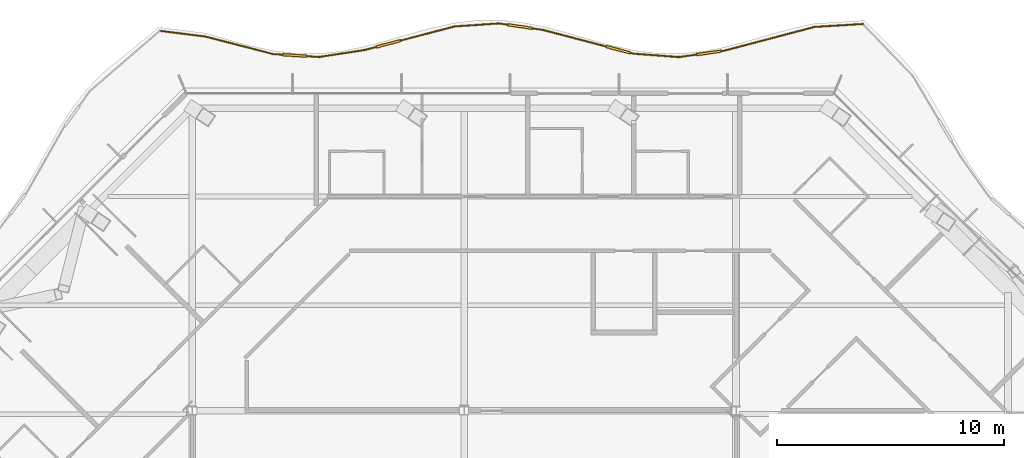
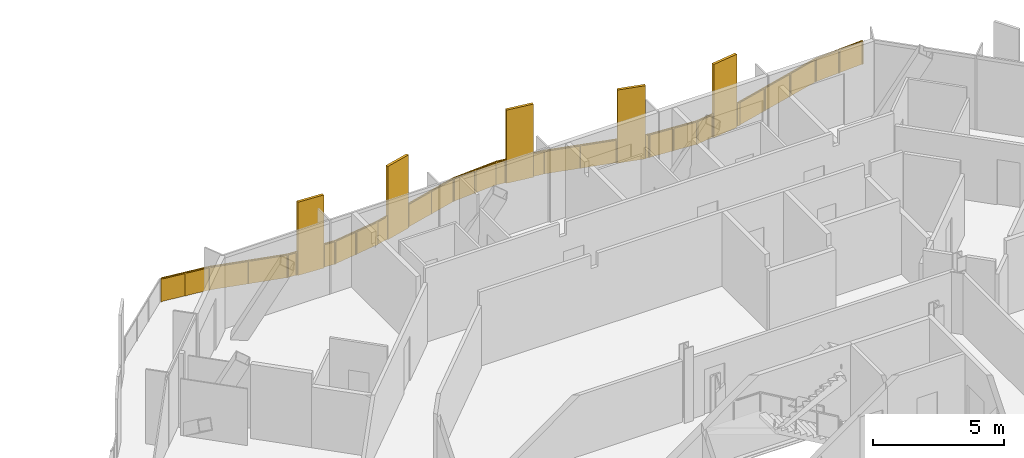
# One storey, part 20 of 21: 1 railing.
"""IFC4 building model written with IfcOpenShell, lengths in metres."""

from ifc_helpers import new_model, si_unit, direction, frame, origin, origin_2d, place, context, subcontext, project, spatial, polyline, rectangle, outline, extrude, material, type_object, element, save


model = new_model("IFC4")

# Units and contexts
model_context = context("Model", 3, precision=1e-05, world=origin(), true_north=direction((0.0, 1.0)))
body_context = subcontext(model_context, "Body", "Model", "MODEL_VIEW")
ifc_project = project(units=[si_unit("LENGTHUNIT", "METRE"), si_unit("AREAUNIT", "SQUARE_METRE"), si_unit("VOLUMEUNIT", "CUBIC_METRE"), si_unit("PLANEANGLEUNIT", "RADIAN"), si_unit("MASSUNIT", "GRAM", prefix="KILO")], contexts=[model_context])

# Site, building, storey
site_placement = place(None, origin())
site = spatial("IfcSite", under=ifc_project, at=site_placement, CompositionType="ELEMENT")
building_placement = place(site_placement, origin())
building = spatial("IfcBuilding", under=site, at=building_placement, Name="Cairn Pilgrim Tower", CompositionType="ELEMENT")
storey_placement = place(building_placement, frame((0.0, 0.0, 183.0)))
storey = spatial("IfcBuildingStorey", under=building, at=storey_placement, Name="L46", CompositionType="ELEMENT", Elevation=183.0)

# Railing
ifc_material = material(Name="Bronze anodised aluminium rail, posts and fin screens with laminated glass infill", Category="aluminium")
railing_type = type_object("IfcRailingType", Name="BALCONY GUARD WITH FIN SCREENS", PredefinedType="GUARDRAIL", material=ifc_material)
railing_placement = place(storey_placement, frame((24.794921875, 30.265625, 0.0)))
element("IfcRailing", 1, at=railing_placement, inside=storey, type_object=railing_type, Name="Balcony guard BGF-5 with fin screens", PredefinedType="GUARDRAIL", context=body_context, shape_type="SweptSolid", body=[
    extrude(rectangle(XDim=0.050048828125, YDim=0.050048828125, at=origin_2d()), frame((0.0, 0.0, 1.0751953125), z_axis=(-0.998168705079, -0.060491620908, 0.0), x_axis=(0.060491620908, -0.998168705079, 0.0)), (0.0, 0.0, 1.0), 2.14306640625),
    extrude(rectangle(XDim=0.050048828125, YDim=0.050048828125, at=origin_2d()), frame((-2.13916015625, -0.129638671875, 1.0751953125), z_axis=(-0.966920951594, -0.255076210902, 0.0), x_axis=(0.255076210902, -0.966920951594, 0.0)), (0.0, 0.0, 1.0), 4.102294921875),
    extrude(rectangle(XDim=1.10009765625, YDim=0.110107421875, at=origin_2d()), frame((-6.798583984375, -1.27392578125, 0.0), z_axis=(0.0, 0.0, 1.0), x_axis=(-0.990145671427, -0.140041241619, 0.0)), (0.0, 0.0, 1.0), 3.39990234375),
    extrude(rectangle(XDim=0.050048828125, YDim=0.050048828125, at=origin_2d()), frame((-6.105712890625, -1.176025390625, 1.0751953125), z_axis=(-0.990145671427, -0.140041241619, 0.0), x_axis=(0.140041241619, -0.990145671427, 0.0)), (0.0, 0.0, 1.0), 0.14990234375),
    extrude(rectangle(XDim=0.050048828125, YDim=0.050048828125, at=origin_2d()), frame((-7.34326171875, -1.35107421875, 1.0751953125), z_axis=(-0.990145671427, -0.140041241619, 0.0), x_axis=(0.140041241619, -0.990145671427, 0.0)), (0.0, 0.0, 1.0), 0.78125),
    extrude(rectangle(XDim=0.050048828125, YDim=0.050048828125, at=origin_2d()), frame((-8.11669921875, -1.46044921875, 1.0751953125), z_axis=(-0.997193452964, 0.074867999617, 0.0), x_axis=(-0.074867999617, -0.997193452964, 0.0)), (0.0, 0.0, 1.0), 2.021728515625),
    extrude(rectangle(XDim=1.10009765625, YDim=0.110107421875, at=origin_2d()), frame((-10.8095703125, -1.131103515625, 0.0), z_axis=(0.0, 0.0, 1.0), x_axis=(-0.967094526018, 0.254417329887, 0.0)), (0.0, 0.0, 1.0), 3.39990234375),
    extrude(rectangle(XDim=0.050048828125, YDim=0.050048828125, at=origin_2d()), frame((-10.1328125, -1.30908203125, 1.0751953125), z_axis=(-0.967094526018, 0.254417329887, 0.0), x_axis=(-0.254417329887, -0.967094526018, 0.0)), (0.0, 0.0, 1.0), 0.14990234375),
    extrude(rectangle(XDim=0.050048828125, YDim=0.050048828125, at=origin_2d()), frame((-11.341552734375, -0.9912109375, 1.0751953125), z_axis=(-0.967094526018, 0.254417329887, 0.0), x_axis=(-0.254417329887, -0.967094526018, 0.0)), (0.0, 0.0, 1.0), 2.863037109375),
    extrude(rectangle(XDim=1.10009765625, YDim=0.110107421875, at=origin_2d()), frame((-15.13623046875, -0.112060546875, 0.0), z_axis=(0.0, 0.0, 1.0), x_axis=(-0.989372683386, 0.145401834131, 0.0)), (0.0, 0.0, 1.0), 3.39990234375),
    extrude(rectangle(XDim=0.050048828125, YDim=0.050048828125, at=origin_2d()), frame((-14.1103515625, -0.2626953125, 1.0751953125), z_axis=(-0.989372683386, 0.145401834131, 0.0), x_axis=(-0.145401834131, -0.989372683386, 0.0)), (0.0, 0.0, 1.0), 0.48681640625),
    extrude(rectangle(XDim=0.050048828125, YDim=0.050048828125, at=origin_2d()), frame((-15.68017578125, -0.031982421875, 1.0751953125), z_axis=(-0.989372683386, 0.145401834131, 0.0), x_axis=(-0.145401834131, -0.989372683386, 0.0)), (0.0, 0.0, 1.0), 0.396240234375),
    extrude(rectangle(XDim=0.050048828125, YDim=0.050048828125, at=origin_2d()), frame((-16.072265625, 0.025634765625, 1.0751953125), z_axis=(-0.997617934409, -0.068981569603, 0.0), x_axis=(0.068981569603, -0.997617934409, 0.0)), (0.0, 0.0, 1.0), 1.960693359375),
    extrude(rectangle(XDim=1.10009765625, YDim=0.110107421875, at=origin_2d()), frame((-20.944580078125, -0.87451171875, 0.0), z_axis=(0.0, 0.0, 1.0), x_axis=(-0.967283217341, -0.253698989849, 0.0)), (0.0, 0.0, 1.0), 3.39990234375),
    extrude(rectangle(XDim=0.050048828125, YDim=0.050048828125, at=origin_2d()), frame((-18.0283203125, -0.109619140625, 1.0751953125), z_axis=(-0.967283217341, -0.253698989849, 0.0), x_axis=(0.253698989849, -0.967283217341, 0.0)), (0.0, 0.0, 1.0), 2.46484375),
    extrude(rectangle(XDim=0.050048828125, YDim=0.050048828125, at=origin_2d()), frame((-21.4765625, -1.013916015625, 1.0751953125), z_axis=(-0.967283217341, -0.253698989849, 0.0), x_axis=(0.253698989849, -0.967283217341, 0.0)), (0.0, 0.0, 1.0), 0.53564453125),
    extrude(rectangle(XDim=0.050048828125, YDim=0.050048828125, at=origin_2d()), frame((-21.99462890625, -1.14990234375, 1.0751953125), z_axis=(-0.988616119439, -0.15045985639, 0.0), x_axis=(0.15045985639, -0.988616119439, 0.0)), (0.0, 0.0, 1.0), 2.033203125),
    extrude(rectangle(XDim=1.10009765625, YDim=0.110107421875, at=origin_2d()), frame((-25.064208984375, -1.388916015625, 0.0), z_axis=(0.0, 0.0, 1.0), x_axis=(-0.998016684323, 0.062949962776, 0.0)), (0.0, 0.0, 1.0), 3.39990234375),
    extrude(rectangle(XDim=0.050048828125, YDim=0.050048828125, at=origin_2d()), frame((-24.004638671875, -1.455810546875, 1.0751953125), z_axis=(-0.998016684323, 0.062949962776, 0.0), x_axis=(-0.062949962776, -0.998016684323, 0.0)), (0.0, 0.0, 1.0), 0.511474609375),
    extrude(rectangle(XDim=0.050048828125, YDim=0.050048828125, at=origin_2d()), frame((-25.613037109375, -1.354248046875, 1.0751953125), z_axis=(-0.998016684323, 0.062949962776, 0.0), x_axis=(-0.062949962776, -0.998016684323, 0.0)), (0.0, 0.0, 1.0), 0.408935546875),
    extrude(rectangle(XDim=0.050048828125, YDim=0.050048828125, at=origin_2d()), frame((-26.021240234375, -1.32861328125, 1.0751953125), z_axis=(-0.968105847949, 0.250541547788, 0.0), x_axis=(-0.250541547788, -0.968105847949, 0.0)), (0.0, 0.0, 1.0), 3.082275390625),
    extrude(rectangle(XDim=0.050048828125, YDim=0.050048828125, at=origin_2d()), frame((-29.005126953125, -0.556396484375, 1.0751953125), z_axis=(-0.992021746768, 0.126066862974, 0.0), x_axis=(-0.126066862974, -0.992021746768, 0.0)), (0.0, 0.0, 1.0), 1.981201171875),
    extrude(rectangle(XDim=0.050048828125, YDim=0.050048828125, at=origin_2d()), origin(), (0.0, 0.0, 1.0), 1.050048828125),
    extrude(rectangle(XDim=0.050048828125, YDim=0.050048828125, at=origin_2d()), frame((-1.069580078125, -0.06494140625, 0.0)), (0.0, 0.0, 1.0), 1.050048828125),
    extrude(rectangle(XDim=0.050048828125, YDim=0.050048828125, at=origin_2d()), frame((-2.13916015625, -0.129638671875, 0.0)), (0.0, 0.0, 1.0), 1.050048828125),
    extrude(rectangle(XDim=0.050048828125, YDim=0.050048828125, at=origin_2d()), frame((-3.46142578125, -0.478515625, 0.0)), (0.0, 0.0, 1.0), 1.050048828125),
    extrude(rectangle(XDim=0.050048828125, YDim=0.050048828125, at=origin_2d()), frame((-4.783447265625, -0.8271484375, 0.0)), (0.0, 0.0, 1.0), 1.050048828125),
    extrude(rectangle(XDim=0.050048828125, YDim=0.050048828125, at=origin_2d()), frame((-6.105712890625, -1.176025390625, 0.0)), (0.0, 0.0, 1.0), 1.050048828125),
    extrude(rectangle(XDim=0.050048828125, YDim=0.050048828125, at=origin_2d()), frame((-6.229248046875, -1.193603515625, 0.0)), (0.0, 0.0, 1.0), 1.050048828125),
    extrude(rectangle(XDim=0.050048828125, YDim=0.050048828125, at=origin_2d()), frame((-7.367919921875, -1.3544921875, 0.0)), (0.0, 0.0, 1.0), 1.050048828125),
    extrude(rectangle(XDim=0.050048828125, YDim=0.050048828125, at=origin_2d()), frame((-8.11669921875, -1.46044921875, 0.0)), (0.0, 0.0, 1.0), 1.050048828125),
    extrude(rectangle(XDim=0.050048828125, YDim=0.050048828125, at=origin_2d()), frame((-9.124755859375, -1.384765625, 0.0)), (0.0, 0.0, 1.0), 1.050048828125),
    extrude(rectangle(XDim=0.050048828125, YDim=0.050048828125, at=origin_2d()), frame((-10.1328125, -1.30908203125, 0.0)), (0.0, 0.0, 1.0), 1.050048828125),
    extrude(rectangle(XDim=0.050048828125, YDim=0.050048828125, at=origin_2d()), frame((-10.253662109375, -1.27734375, 0.0)), (0.0, 0.0, 1.0), 1.050048828125),
    extrude(rectangle(XDim=0.050048828125, YDim=0.050048828125, at=origin_2d()), frame((-11.36572265625, -0.984619140625, 0.0)), (0.0, 0.0, 1.0), 1.050048828125),
    extrude(rectangle(XDim=0.050048828125, YDim=0.050048828125, at=origin_2d()), frame((-12.738037109375, -0.623779296875, 0.0)), (0.0, 0.0, 1.0), 1.050048828125),
    extrude(rectangle(XDim=0.050048828125, YDim=0.050048828125, at=origin_2d()), frame((-14.1103515625, -0.2626953125, 0.0)), (0.0, 0.0, 1.0), 1.050048828125),
    extrude(rectangle(XDim=0.050048828125, YDim=0.050048828125, at=origin_2d()), frame((-14.567138671875, -0.195556640625, 0.0)), (0.0, 0.0, 1.0), 1.050048828125),
    extrude(rectangle(XDim=0.050048828125, YDim=0.050048828125, at=origin_2d()), frame((-15.705078125, -0.0283203125, 0.0)), (0.0, 0.0, 1.0), 1.050048828125),
    extrude(rectangle(XDim=0.050048828125, YDim=0.050048828125, at=origin_2d()), frame((-16.072265625, 0.025634765625, 0.0)), (0.0, 0.0, 1.0), 1.050048828125),
    extrude(rectangle(XDim=0.050048828125, YDim=0.050048828125, at=origin_2d()), frame((-17.05029296875, -0.0419921875, 0.0)), (0.0, 0.0, 1.0), 1.050048828125),
    extrude(rectangle(XDim=0.050048828125, YDim=0.050048828125, at=origin_2d()), frame((-18.0283203125, -0.109619140625, 0.0)), (0.0, 0.0, 1.0), 1.050048828125),
    extrude(rectangle(XDim=0.050048828125, YDim=0.050048828125, at=origin_2d()), frame((-19.208251953125, -0.419189453125, 0.0)), (0.0, 0.0, 1.0), 1.050048828125),
    extrude(rectangle(XDim=0.050048828125, YDim=0.050048828125, at=origin_2d()), frame((-20.38818359375, -0.728515625, 0.0)), (0.0, 0.0, 1.0), 1.050048828125),
    extrude(rectangle(XDim=0.050048828125, YDim=0.050048828125, at=origin_2d()), frame((-21.500732421875, -1.020263671875, 0.0)), (0.0, 0.0, 1.0), 1.050048828125),
    extrude(rectangle(XDim=0.050048828125, YDim=0.050048828125, at=origin_2d()), frame((-21.99462890625, -1.14990234375, 0.0)), (0.0, 0.0, 1.0), 1.050048828125),
    extrude(rectangle(XDim=0.050048828125, YDim=0.050048828125, at=origin_2d()), frame((-22.99951171875, -1.302734375, 0.0)), (0.0, 0.0, 1.0), 1.050048828125),
    extrude(rectangle(XDim=0.050048828125, YDim=0.050048828125, at=origin_2d()), frame((-24.004638671875, -1.455810546875, 0.0)), (0.0, 0.0, 1.0), 1.050048828125),
    extrude(rectangle(XDim=0.050048828125, YDim=0.050048828125, at=origin_2d()), frame((-24.490234375, -1.42529296875, 0.0)), (0.0, 0.0, 1.0), 1.050048828125),
    extrude(rectangle(XDim=0.050048828125, YDim=0.050048828125, at=origin_2d()), frame((-25.637939453125, -1.352783203125, 0.0)), (0.0, 0.0, 1.0), 1.050048828125),
    extrude(rectangle(XDim=0.050048828125, YDim=0.050048828125, at=origin_2d()), frame((-26.021240234375, -1.32861328125, 0.0)), (0.0, 0.0, 1.0), 1.050048828125),
    extrude(rectangle(XDim=0.050048828125, YDim=0.050048828125, at=origin_2d()), frame((-27.51318359375, -0.9423828125, 0.0)), (0.0, 0.0, 1.0), 1.050048828125),
    extrude(rectangle(XDim=0.050048828125, YDim=0.050048828125, at=origin_2d()), frame((-29.005126953125, -0.556396484375, 0.0)), (0.0, 0.0, 1.0), 1.050048828125),
    extrude(rectangle(XDim=0.050048828125, YDim=0.050048828125, at=origin_2d()), frame((-29.98779296875, -0.431640625, 0.0)), (0.0, 0.0, 1.0), 1.050048828125),
    extrude(rectangle(XDim=0.050048828125, YDim=0.050048828125, at=origin_2d()), frame((-30.970458984375, -0.306640625, 0.0)), (0.0, 0.0, 1.0), 1.050048828125),
    extrude(outline(polyline([(0.02490234375, 0.0), (1.046630859375, 0.0), (1.046630859375, 1.050048828125), (0.02490234375, 1.050048828125), (0.02490234375, 0.0)])), frame((0.000244140625, -0.005859375, 0.0), z_axis=(-0.060491620908, 0.998168705079, 0.0), x_axis=(-0.998168705079, -0.060491620908, 0.0)), (0.0, 0.0, 1.0), 0.011962890625),
    extrude(outline(polyline([(0.02490234375, 0.0), (1.046630859375, 0.0), (1.046630859375, 1.050048828125), (0.02490234375, 1.050048828125), (0.02490234375, 0.0)])), frame((-1.0693359375, -0.07080078125, 0.0), z_axis=(-0.060491620908, 0.998168705079, 0.0), x_axis=(-0.998168705079, -0.060491620908, 0.0)), (0.0, 0.0, 1.0), 0.011962890625),
    extrude(outline(polyline([(0.02490234375, 0.0), (1.34228515625, 0.0), (1.34228515625, 1.050048828125), (0.02490234375, 1.050048828125), (0.02490234375, 0.0)])), frame((-2.1376953125, -0.135498046875, 0.0), z_axis=(-0.255076210902, 0.966920951594, 0.0), x_axis=(-0.966920951594, -0.255076210902, 0.0)), (0.0, 0.0, 1.0), 0.011962890625),
    extrude(outline(polyline([(0.02490234375, 0.0), (1.34228515625, 0.0), (1.34228515625, 1.050048828125), (0.02490234375, 1.050048828125), (0.02490234375, 0.0)])), frame((-3.459716796875, -0.484130859375, 0.0), z_axis=(-0.255076210902, 0.966920951594, 0.0), x_axis=(-0.966920951594, -0.255076210902, 0.0)), (0.0, 0.0, 1.0), 0.011962890625),
    extrude(outline(polyline([(0.02490234375, 0.0), (1.34228515625, 0.0), (1.34228515625, 1.050048828125), (0.02490234375, 1.050048828125), (0.02490234375, 0.0)])), frame((-4.781982421875, -0.8330078125, 0.0), z_axis=(-0.255076210902, 0.966920951594, 0.0), x_axis=(-0.966920951594, -0.255076210902, 0.0)), (0.0, 0.0, 1.0), 0.011962890625),
    extrude(outline(polyline([(0.02490234375, 0.0), (0.099853515625, 0.0), (0.099853515625, 1.050048828125), (0.02490234375, 1.050048828125), (0.02490234375, 0.0)])), frame((-6.10498046875, -1.181884765625, 0.0), z_axis=(-0.140041241619, 0.990145671427, 0.0), x_axis=(-0.990145671427, -0.140041241619, 0.0)), (0.0, 0.0, 1.0), 0.011962890625),
    extrude(outline(polyline([(0.02490234375, 0.0), (0.731201171875, 0.0), (0.731201171875, 1.050048828125), (0.02490234375, 1.050048828125), (0.02490234375, 0.0)])), frame((-7.3671875, -1.360595703125, 0.0), z_axis=(-0.140041241619, 0.990145671427, 0.0), x_axis=(-0.990145671427, -0.140041241619, 0.0)), (0.0, 0.0, 1.0), 0.011962890625),
    extrude(outline(polyline([(0.02490234375, 0.0), (0.98583984375, 0.0), (0.98583984375, 1.050048828125), (0.02490234375, 1.050048828125), (0.02490234375, 0.0)])), frame((-8.1171875, -1.46630859375, 0.0), z_axis=(0.074867999617, 0.997193452964, 0.0), x_axis=(-0.997193452964, 0.074867999617, 0.0)), (0.0, 0.0, 1.0), 0.011962890625),
    extrude(outline(polyline([(0.02490234375, 0.0), (0.98583984375, 0.0), (0.98583984375, 1.050048828125), (0.02490234375, 1.050048828125), (0.02490234375, 0.0)])), frame((-9.125244140625, -1.390625, 0.0), z_axis=(0.074867999617, 0.997193452964, 0.0), x_axis=(-0.997193452964, 0.074867999617, 0.0)), (0.0, 0.0, 1.0), 0.011962890625),
    extrude(outline(polyline([(0.02490234375, 0.0), (0.099853515625, 0.0), (0.099853515625, 1.050048828125), (0.02490234375, 1.050048828125), (0.02490234375, 0.0)])), frame((-10.13427734375, -1.31494140625, 0.0), z_axis=(0.254417329887, 0.967094526018, 0.0), x_axis=(-0.967094526018, 0.254417329887, 0.0)), (0.0, 0.0, 1.0), 0.011962890625),
    extrude(outline(polyline([(0.02490234375, 0.0), (1.39404296875, 0.0), (1.39404296875, 1.050048828125), (0.02490234375, 1.050048828125), (0.02490234375, 0.0)])), frame((-11.3671875, -0.990478515625, 0.0), z_axis=(0.254417329887, 0.967094526018, 0.0), x_axis=(-0.967094526018, 0.254417329887, 0.0)), (0.0, 0.0, 1.0), 0.011962890625),
    extrude(outline(polyline([(0.02490234375, 0.0), (1.39404296875, 0.0), (1.39404296875, 1.050048828125), (0.02490234375, 1.050048828125), (0.02490234375, 0.0)])), frame((-12.739501953125, -0.62939453125, 0.0), z_axis=(0.254417329887, 0.967094526018, 0.0), x_axis=(-0.967094526018, 0.254417329887, 0.0)), (0.0, 0.0, 1.0), 0.011962890625),
    extrude(outline(polyline([(0.02490234375, 0.0), (0.436767578125, 0.0), (0.436767578125, 1.050048828125), (0.02490234375, 1.050048828125), (0.02490234375, 0.0)])), frame((-14.111328125, -0.2685546875, 0.0), z_axis=(0.145401834131, 0.989372683386, 0.0), x_axis=(-0.989372683386, 0.145401834131, 0.0)), (0.0, 0.0, 1.0), 0.011962890625),
    extrude(outline(polyline([(0.02490234375, 0.0), (0.34619140625, 0.0), (0.34619140625, 1.050048828125), (0.02490234375, 1.050048828125), (0.02490234375, 0.0)])), frame((-15.705810546875, -0.0341796875, 0.0), z_axis=(0.145401834131, 0.989372683386, 0.0), x_axis=(-0.989372683386, 0.145401834131, 0.0)), (0.0, 0.0, 1.0), 0.011962890625),
    extrude(outline(polyline([(0.02490234375, 0.0), (0.955322265625, 0.0), (0.955322265625, 1.050048828125), (0.02490234375, 1.050048828125), (0.02490234375, 0.0)])), frame((-16.07177734375, 0.019775390625, 0.0), z_axis=(-0.068981569603, 0.997617934409, 0.0), x_axis=(-0.997617934409, -0.068981569603, 0.0)), (0.0, 0.0, 1.0), 0.011962890625),
    extrude(outline(polyline([(0.02490234375, 0.0), (0.955322265625, 0.0), (0.955322265625, 1.050048828125), (0.02490234375, 1.050048828125), (0.02490234375, 0.0)])), frame((-17.0498046875, -0.0478515625, 0.0), z_axis=(-0.068981569603, 0.997617934409, 0.0), x_axis=(-0.997617934409, -0.068981569603, 0.0)), (0.0, 0.0, 1.0), 0.011962890625),
    extrude(outline(polyline([(0.02490234375, 0.0), (1.19482421875, 0.0), (1.19482421875, 1.050048828125), (0.02490234375, 1.050048828125), (0.02490234375, 0.0)])), frame((-18.02685546875, -0.115478515625, 0.0), z_axis=(-0.253698989849, 0.967283217341, 0.0), x_axis=(-0.967283217341, -0.253698989849, 0.0)), (0.0, 0.0, 1.0), 0.011962890625),
    extrude(outline(polyline([(0.02490234375, 0.0), (1.19482421875, 0.0), (1.19482421875, 1.050048828125), (0.02490234375, 1.050048828125), (0.02490234375, 0.0)])), frame((-19.206787109375, -0.4248046875, 0.0), z_axis=(-0.253698989849, 0.967283217341, 0.0), x_axis=(-0.967283217341, -0.253698989849, 0.0)), (0.0, 0.0, 1.0), 0.011962890625),
    extrude(outline(polyline([(0.02490234375, 0.0), (0.485595703125, 0.0), (0.485595703125, 1.050048828125), (0.02490234375, 1.050048828125), (0.02490234375, 0.0)])), frame((-21.499267578125, -1.026123046875, 0.0), z_axis=(-0.253698989849, 0.967283217341, 0.0), x_axis=(-0.967283217341, -0.253698989849, 0.0)), (0.0, 0.0, 1.0), 0.011962890625),
    extrude(outline(polyline([(0.02490234375, 0.0), (0.991455078125, 0.0), (0.991455078125, 1.050048828125), (0.02490234375, 1.050048828125), (0.02490234375, 0.0)])), frame((-21.99365234375, -1.15576171875, 0.0), z_axis=(-0.15045985639, 0.988616119439, 0.0), x_axis=(-0.988616119439, -0.15045985639, 0.0)), (0.0, 0.0, 1.0), 0.011962890625),
    extrude(outline(polyline([(0.02490234375, 0.0), (0.991455078125, 0.0), (0.991455078125, 1.050048828125), (0.02490234375, 1.050048828125), (0.02490234375, 0.0)])), frame((-22.998779296875, -1.308837890625, 0.0), z_axis=(-0.15045985639, 0.988616119439, 0.0), x_axis=(-0.988616119439, -0.15045985639, 0.0)), (0.0, 0.0, 1.0), 0.011962890625),
    extrude(outline(polyline([(0.02490234375, 0.0), (0.46142578125, 0.0), (0.46142578125, 1.050048828125), (0.02490234375, 1.050048828125), (0.02490234375, 0.0)])), frame((-24.005126953125, -1.461669921875, 0.0), z_axis=(0.062949962776, 0.998016684323, 0.0), x_axis=(-0.998016684323, 0.062949962776, 0.0)), (0.0, 0.0, 1.0), 0.011962890625),
    extrude(outline(polyline([(0.02490234375, 0.0), (0.35888671875, 0.0), (0.35888671875, 1.050048828125), (0.02490234375, 1.050048828125), (0.02490234375, 0.0)])), frame((-25.638427734375, -1.358642578125, 0.0), z_axis=(0.062949962776, 0.998016684323, 0.0), x_axis=(-0.998016684323, 0.062949962776, 0.0)), (0.0, 0.0, 1.0), 0.011962890625),
    extrude(outline(polyline([(0.02490234375, 0.0), (1.51611328125, 0.0), (1.51611328125, 1.050048828125), (0.02490234375, 1.050048828125), (0.02490234375, 0.0)])), frame((-26.022705078125, -1.33447265625, 0.0), z_axis=(0.250541547788, 0.968105847949, 0.0), x_axis=(-0.968105847949, 0.250541547788, 0.0)), (0.0, 0.0, 1.0), 0.011962890625),
    extrude(outline(polyline([(0.02490234375, 0.0), (1.51611328125, 0.0), (1.51611328125, 1.050048828125), (0.02490234375, 1.050048828125), (0.02490234375, 0.0)])), frame((-27.5146484375, -0.9482421875, 0.0), z_axis=(0.250541547788, 0.968105847949, 0.0), x_axis=(-0.968105847949, 0.250541547788, 0.0)), (0.0, 0.0, 1.0), 0.011962890625),
    extrude(outline(polyline([(0.02490234375, 0.0), (0.965576171875, 0.0), (0.965576171875, 1.050048828125), (0.02490234375, 1.050048828125), (0.02490234375, 0.0)])), frame((-29.005859375, -0.562255859375, 0.0), z_axis=(0.126066862974, 0.992021746768, 0.0), x_axis=(-0.992021746768, 0.126066862974, 0.0)), (0.0, 0.0, 1.0), 0.011962890625),
    extrude(outline(polyline([(0.02490234375, 0.0), (0.965576171875, 0.0), (0.965576171875, 1.050048828125), (0.02490234375, 1.050048828125), (0.02490234375, 0.0)])), frame((-29.988525390625, -0.4375, 0.0), z_axis=(0.126066862974, 0.992021746768, 0.0), x_axis=(-0.992021746768, 0.126066862974, 0.0)), (0.0, 0.0, 1.0), 0.011962890625),
])

save(model, "model.ifc")
